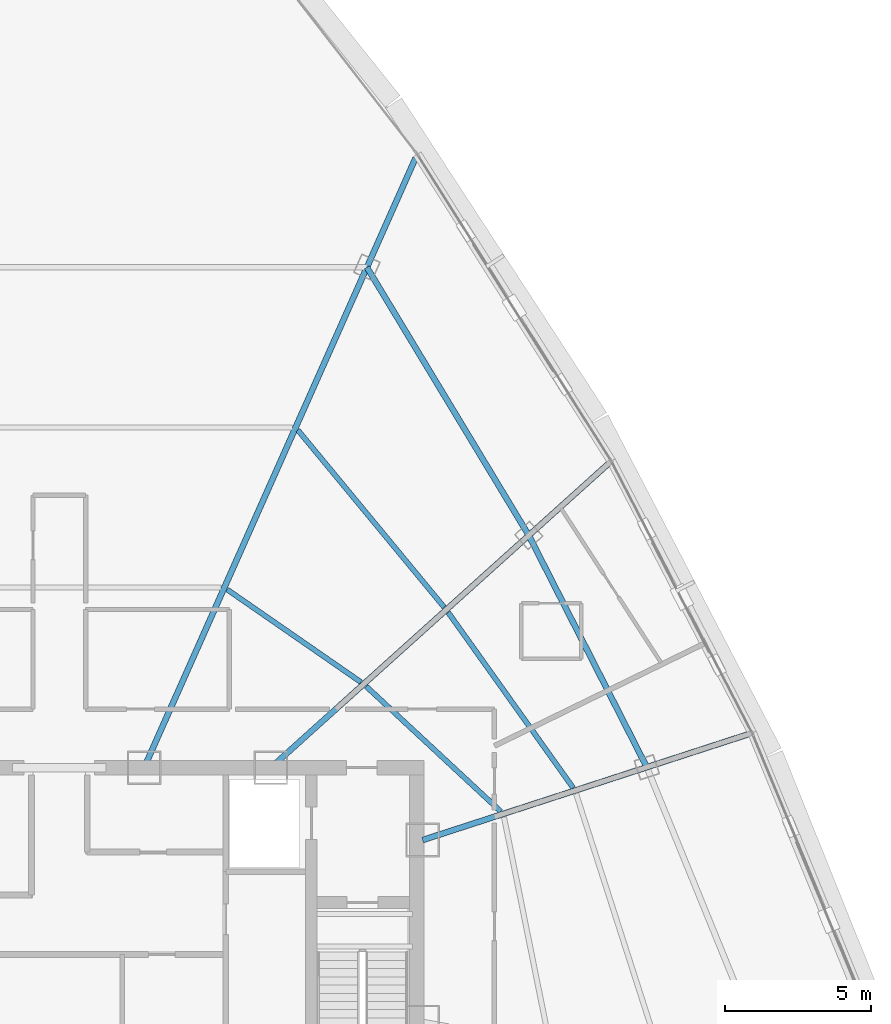
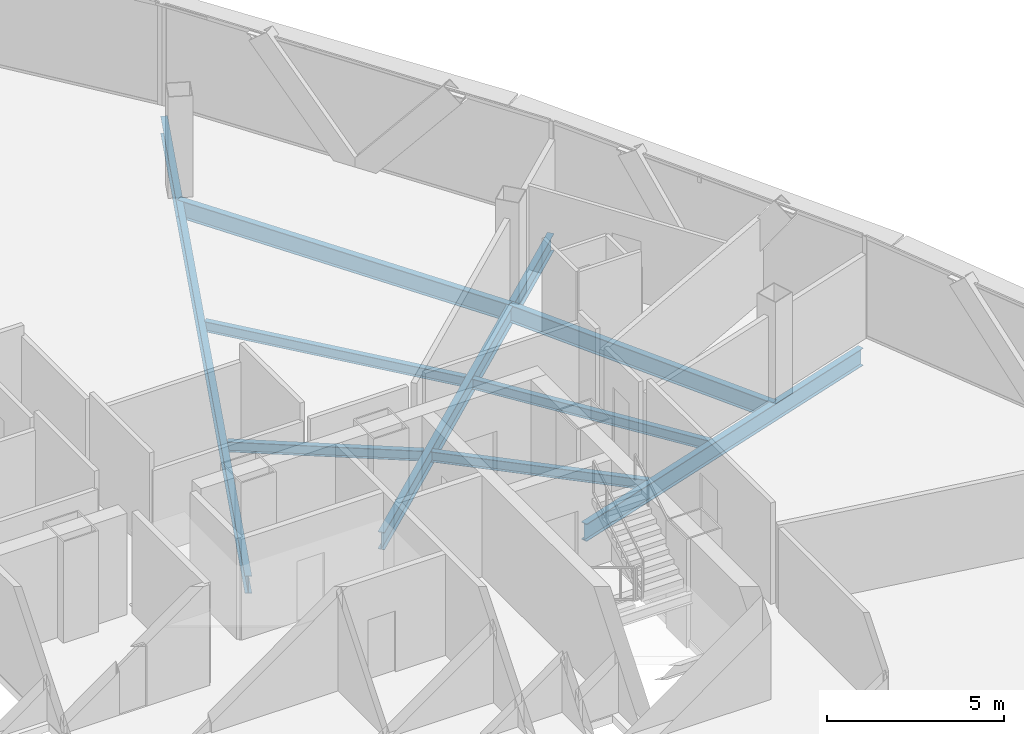
# One storey, part 17 of 33: 9 beams.
"""IFC4 building model written with IfcOpenShell, lengths in metres."""

from ifc_helpers import new_model, si_unit, direction, frame, origin, origin_2d, place, context, subcontext, project, spatial, i_section, extrude, source, transform, mapped, material, material_profile, profile_set, type_object, element, save


model = new_model("IFC4")

# Units and contexts
model_context = context("Model", 3, precision=1e-05, world=origin(), true_north=direction((0.0, 1.0)))
body_context = subcontext(model_context, "Body", "Model", "MODEL_VIEW")
ifc_project = project(units=[si_unit("LENGTHUNIT", "METRE"), si_unit("AREAUNIT", "SQUARE_METRE"), si_unit("VOLUMEUNIT", "CUBIC_METRE"), si_unit("PLANEANGLEUNIT", "RADIAN"), si_unit("MASSUNIT", "GRAM", prefix="KILO"), si_unit("THERMODYNAMICTEMPERATUREUNIT", "KELVIN"), si_unit("POWERUNIT", "WATT")], contexts=[model_context])

# Site, building, storey
site_placement = place(None, origin())
site = spatial("IfcSite", under=ifc_project, at=site_placement, CompositionType="ELEMENT")
building_placement = place(site_placement, origin())
building = spatial("IfcBuilding", under=site, at=building_placement, Name="Yunzhuo Pagoda Commons", CompositionType="ELEMENT")
storey_placement = place(building_placement, frame((0.0, 0.0, 329.260009765625)))
storey = spatial("IfcBuildingStorey", under=building, at=storey_placement, Name="L82", CompositionType="ELEMENT", Elevation=329.260009765625)

# Beams
ifc_material = material(Name="Structural steel Q355B", Category="steel")
ifc_material_profile_1 = material_profile(ifc_material, i_section(OverallWidth=0.199951171875, OverallDepth=0.60009765625, WebThickness=0.010986328125, FlangeThickness=0.01708984375, at=origin_2d()), Name="Structural steel Q355B")
ifc_profile_set_1 = profile_set([ifc_material_profile_1], Name="Structural steel Q355B")
beam_type_1 = type_object("IfcBeamType", Name="B-RG3 Beam HN 600x200x11x17", PredefinedType="BEAM", material=ifc_profile_set_1)
shared_shape_1 = source(origin(), body_context, "Body", "SweptSolid", [
    extrude(i_section(OverallWidth=0.199951171875, OverallDepth=0.60009765625, WebThickness=0.010986328125, FlangeThickness=0.01708984375, at=origin_2d()), origin(), (0.0, 0.0, 1.0), 8.87939453125),
])
beam_1_placement = place(storey_placement, frame((68.053466796875, 40.2158203125, -0.56005859375), z_axis=(-0.453723535687, 0.891142498798, 0.0), x_axis=(-0.891142498798, -0.453723535687, 0.0)))
element("IfcBeam", 1, at=beam_1_placement, inside=storey, type_object=beam_type_1, Name="L82 column-ring beam 6", PredefinedType="BEAM", context=body_context, shape_type="MappedRepresentation", body=[
    mapped(shared_shape_1, transform((0.0, 0.0, 0.0), scale=1.0)),
])
shared_shape_2 = source(origin(), body_context, "Body", "SweptSolid", [
    extrude(i_section(OverallWidth=0.199951171875, OverallDepth=0.60009765625, WebThickness=0.010986328125, FlangeThickness=0.01708984375, at=origin_2d()), origin(), (0.0, 0.0, 1.0), 10.691162109375),
])
beam_2_placement = place(storey_placement, frame((64.024658203125, 48.128662109375, -0.56005859375), z_axis=(-0.516864678433, 0.856067114301, 0.0), x_axis=(-0.856067114301, -0.516864678433, 0.0)))
element("IfcBeam", 2, at=beam_2_placement, inside=storey, type_object=beam_type_1, Name="L82 column-ring beam 7", PredefinedType="BEAM", context=body_context, shape_type="MappedRepresentation", body=[
    mapped(shared_shape_2, transform((0.0, 0.0, 0.0), scale=1.0)),
])
shared_shape_3 = source(origin(), body_context, "Body", "SweptSolid", [
    extrude(i_section(OverallWidth=0.199951171875, OverallDepth=0.60009765625, WebThickness=0.010986328125, FlangeThickness=0.01708984375, at=origin_2d()), origin(), (0.0, 0.0, 1.0), 11.676025390625),
])
beam_3_placement = place(storey_placement, frame((71.504638671875, 41.3369140625, -0.56005859375), z_axis=(-0.951062491517, -0.308998603927, 0.0), x_axis=(0.308998603927, -0.951062491517, 0.0)))
element("IfcBeam", 3, at=beam_3_placement, inside=storey, type_object=beam_type_1, Name="L82 radial floor girder F2C2", PredefinedType="BEAM", context=body_context, shape_type="MappedRepresentation", body=[
    mapped(shared_shape_3, transform((0.0, 0.0, 0.0), scale=1.0)),
])
shared_shape_4 = source(origin(), body_context, "Body", "SweptSolid", [
    extrude(i_section(OverallWidth=0.199951171875, OverallDepth=0.60009765625, WebThickness=0.010986328125, FlangeThickness=0.01708984375, at=origin_2d()), origin(), (0.0, 0.0, 1.0), 15.487548828125),
])
beam_4_placement = place(storey_placement, frame((66.728515625, 50.563232421875, -0.56005859375), z_axis=(-0.743142849048, -0.6691328014, 0.0), x_axis=(0.6691328014, -0.743142849048, 0.0)))
element("IfcBeam", 4, at=beam_4_placement, inside=storey, type_object=beam_type_1, Name="L82 radial floor girder F2C3", PredefinedType="BEAM", context=body_context, shape_type="MappedRepresentation", body=[
    mapped(shared_shape_4, transform((0.0, 0.0, 0.0), scale=1.0)),
])
shared_shape_5 = source(origin(), body_context, "Body", "SweptSolid", [
    extrude(i_section(OverallWidth=0.199951171875, OverallDepth=0.60009765625, WebThickness=0.010986328125, FlangeThickness=0.01708984375, at=origin_2d()), origin(), (0.0, 0.0, 1.0), 22.76953125),
])
beam_5_placement = place(storey_placement, frame((60.1552734375, 61.0009765625, -0.56005859375), z_axis=(-0.406737276471, -0.913545175637, 0.0), x_axis=(0.913545175637, -0.406737276471, 0.0)))
element("IfcBeam", 5, at=beam_5_placement, inside=storey, type_object=beam_type_1, Name="L82 radial floor girder F2C4", PredefinedType="BEAM", context=body_context, shape_type="MappedRepresentation", body=[
    mapped(shared_shape_5, transform((0.0, 0.0, 0.0), scale=1.0)),
])
ifc_material_profile_2 = material_profile(ifc_material, i_section(OverallWidth=0.175048828125, OverallDepth=0.35009765625, WebThickness=0.007080078125, FlangeThickness=0.010986328125, at=origin_2d()), Name="Structural steel Q355B")
ifc_profile_set_2 = profile_set([ifc_material_profile_2], Name="Structural steel Q355B")
beam_type_2 = type_object("IfcBeamType", Name="B-JS2 Joist HN 350x175x7x11", PredefinedType="JOIST", material=ifc_profile_set_2)
shared_shape_6 = source(origin(), body_context, "Body", "SweptSolid", [
    extrude(i_section(OverallWidth=0.175048828125, OverallDepth=0.35009765625, WebThickness=0.007080078125, FlangeThickness=0.010986328125, at=origin_2d()), origin(), (0.0, 0.0, 1.0), 6.277099609375),
])
beam_6_placement = place(storey_placement, frame((63.071044921875, 38.702392578125, -0.43505859375), z_axis=(-0.73244154109, 0.68082992655, 0.0), x_axis=(-0.68082992655, -0.73244154109, 0.0)))
element("IfcBeam", 6, at=beam_6_placement, inside=storey, type_object=beam_type_2, Name="L82 composite ring joist 1.6", PredefinedType="JOIST", context=body_context, shape_type="MappedRepresentation", body=[
    mapped(shared_shape_6, transform((0.0, 0.0, 0.0), scale=1.0)),
])
shared_shape_7 = source(origin(), body_context, "Body", "SweptSolid", [
    extrude(i_section(OverallWidth=0.175048828125, OverallDepth=0.35009765625, WebThickness=0.007080078125, FlangeThickness=0.010986328125, at=origin_2d()), origin(), (0.0, 0.0, 1.0), 7.347900390625),
])
beam_7_placement = place(storey_placement, frame((65.53759765625, 39.513671875, -0.43505859375), z_axis=(-0.580294898948, 0.814406428177, 0.0), x_axis=(-0.814406428177, -0.580294898948, 0.0)))
element("IfcBeam", 7, at=beam_7_placement, inside=storey, type_object=beam_type_2, Name="L82 composite ring joist 2.6", PredefinedType="JOIST", context=body_context, shape_type="MappedRepresentation", body=[
    mapped(shared_shape_7, transform((0.0, 0.0, 0.0), scale=1.0)),
])
shared_shape_8 = source(origin(), body_context, "Body", "SweptSolid", [
    extrude(i_section(OverallWidth=0.175048828125, OverallDepth=0.35009765625, WebThickness=0.007080078125, FlangeThickness=0.010986328125, at=origin_2d()), origin(), (0.0, 0.0, 1.0), 5.556640625),
])
beam_8_placement = place(storey_placement, frame((58.29443359375, 43.119873046875, -0.43505859375), z_axis=(-0.822084621883, 0.569365326011, 0.0), x_axis=(-0.569365326011, -0.822084621883, 0.0)))
element("IfcBeam", 8, at=beam_8_placement, inside=storey, type_object=beam_type_2, Name="L82 composite ring joist 1.7", PredefinedType="JOIST", context=body_context, shape_type="MappedRepresentation", body=[
    mapped(shared_shape_8, transform((0.0, 0.0, 0.0), scale=1.0)),
])
shared_shape_9 = source(origin(), body_context, "Body", "SweptSolid", [
    extrude(i_section(OverallWidth=0.175048828125, OverallDepth=0.35009765625, WebThickness=0.007080078125, FlangeThickness=0.010986328125, at=origin_2d()), origin(), (0.0, 0.0, 1.0), 7.842529296875),
])
beam_9_placement = place(storey_placement, frame((61.133544921875, 45.68017578125, -0.43505859375), z_axis=(-0.636899145749, 0.770947130577, 0.0), x_axis=(-0.770947130577, -0.636899145749, 0.0)))
element("IfcBeam", 9, at=beam_9_placement, inside=storey, type_object=beam_type_2, Name="L82 composite ring joist 2.7", PredefinedType="JOIST", context=body_context, shape_type="MappedRepresentation", body=[
    mapped(shared_shape_9, transform((0.0, 0.0, 0.0), scale=1.0)),
])

save(model, "model.ifc")
